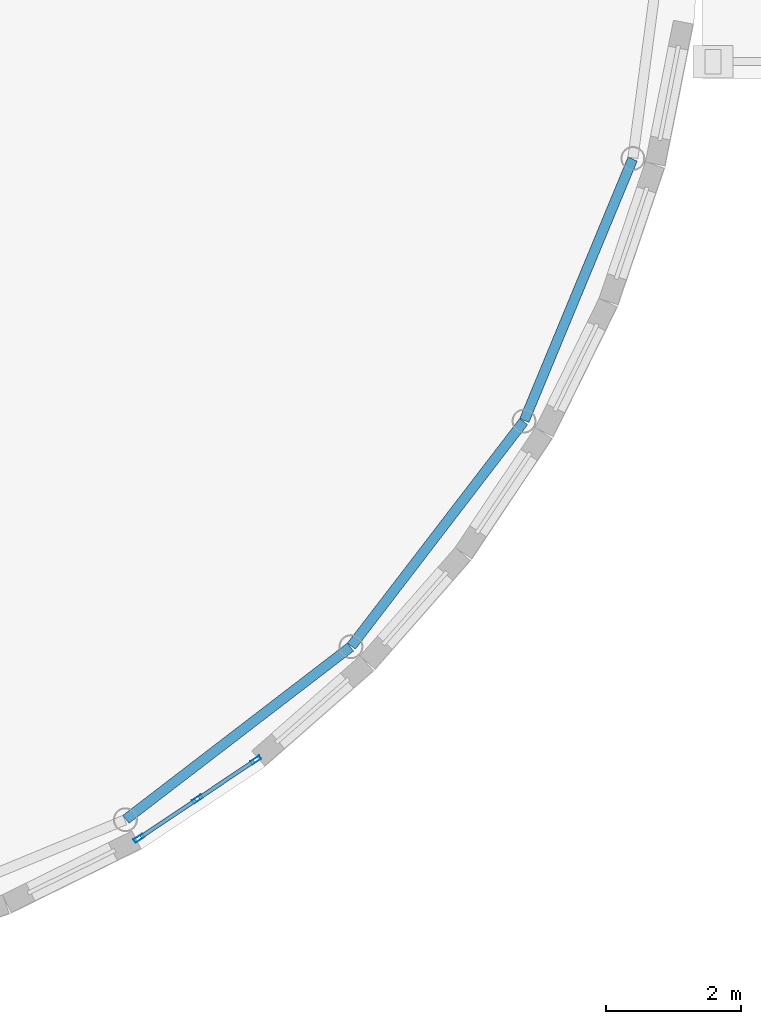
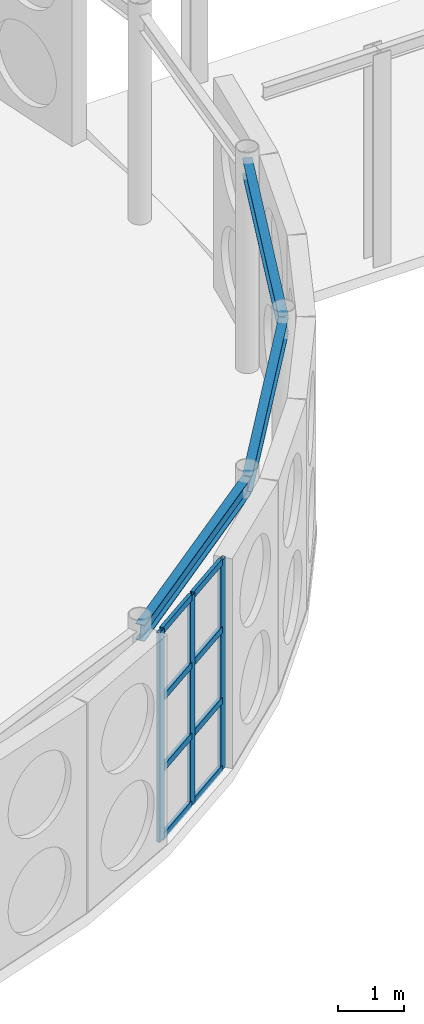
# One storey, part 51 of 165: 11 members, 3 beams, 1 element without a shape of its own.
"""IFC4 building model written with IfcOpenShell, lengths in metres."""

from ifc_helpers import new_model, si_unit, direction, frame, origin, origin_2d, place, context, subcontext, project, spatial, hollow_rectangle, i_section, extrude, material, layer, layer_set, material_profile, profile_set, type_object, element, aggregate, save


model = new_model("IFC4")

# Units and contexts
model_context = context("Model", 3, precision=1e-05, world=origin(), true_north=direction((0.0, 1.0)))
body_context = subcontext(model_context, "Body", "Model", "MODEL_VIEW")
ifc_project = project(units=[si_unit("LENGTHUNIT", "METRE"), si_unit("AREAUNIT", "SQUARE_METRE"), si_unit("VOLUMEUNIT", "CUBIC_METRE"), si_unit("PLANEANGLEUNIT", "RADIAN"), si_unit("MASSUNIT", "GRAM", prefix="KILO")], contexts=[model_context])

# Site, building, storey
site_placement = place(None, origin())
site = spatial("IfcSite", under=ifc_project, at=site_placement, CompositionType="ELEMENT")
building_placement = place(site_placement, origin())
building = spatial("IfcBuilding", under=site, at=building_placement, Name="Montecoro Central Library", CompositionType="ELEMENT")
storey_placement = place(building_placement, frame((0.0, 0.0, 5.10009765625)))
storey = spatial("IfcBuildingStorey", under=building, at=storey_placement, Name="L01", CompositionType="ELEMENT", Elevation=5.10009765625)

# Beams
ifc_material_1 = material(Name="Steel S355", Category="steel")
ifc_material_profile_1 = material_profile(ifc_material_1, i_section(OverallWidth=0.14990234375, OverallDepth=0.300048828125, WebThickness=0.007080078125, FlangeThickness=0.0107421875, at=origin_2d()), Name="IPE 300")
ifc_profile_set_1 = profile_set([ifc_material_profile_1], Name="Steel S355")
beam_type = type_object("IfcBeamType", Name="BM-SP-IPE300", PredefinedType="SPANDREL", material=ifc_profile_set_1)
for number, where, z_axis, x_axis, name in (
    (1, (99.697998046875, 21.39404296875, 3.704833984375), (0.793372600918, 0.608736327249, 0.0), (-0.608736327249, 0.793372600918, 0.0), "V1-L01-RING-21"),
    (2, (103.047119140625, 23.967041015625, 3.704833984375), (0.608736327249, 0.793372600918, 0.0), (-0.793372600918, 0.608736327249, 0.0), "V1-L01-RING-22"),
):
    element("IfcBeam", number, at=place(storey_placement, frame(where, z_axis=z_axis, x_axis=x_axis)), inside=storey, type_object=beam_type, Name=name, PredefinedType="SPANDREL", context=body_context, shape_type="SweptSolid", body=[
        extrude(i_section(OverallWidth=0.14990234375, OverallDepth=0.300048828125, WebThickness=0.007080078125, FlangeThickness=0.0107421875, at=origin_2d()), origin(), (0.0, 0.0, 1.0), 4.20361328125),
    ])
beam_placement = place(storey_placement, frame((105.615966796875, 27.319091796875, 3.704833984375), z_axis=(0.382767235377, 0.923844815714, 0.0), x_axis=(-0.923844815714, 0.382767235377, 0.0)))
element("IfcBeam", 3, at=beam_placement, inside=storey, type_object=beam_type, Name="V1-L01-RING-23", PredefinedType="SPANDREL", context=body_context, shape_type="SweptSolid", body=[
    extrude(i_section(OverallWidth=0.14990234375, OverallDepth=0.300048828125, WebThickness=0.007080078125, FlangeThickness=0.0107421875, at=origin_2d()), origin(), (0.0, 0.0, 1.0), 4.203857421875),
])

# Curtain wall, members
ifc_material_2 = material(Name="Bronze-anodised aluminium and low-E glazing", Category="aluminium")
ifc_layer = layer(ifc_material_2, 0.159912109375)
ifc_layer_set = layer_set([ifc_layer], Name="Bronze-anodised aluminium and low-E glazing")
curtain_wall_type = type_object("IfcCurtainWallType", Name="CWT-003", PredefinedType="NOTDEFINED", material=ifc_layer_set)
curtain_wall_placement = place(storey_placement, origin())
curtain_wall = element("IfcCurtainWall", 4, at=curtain_wall_placement, inside=storey, type_object=curtain_wall_type, Name="V1-L01-CW-41", PredefinedType="NOTDEFINED")
ifc_material_3 = material(Name="Bronze-anodised aluminium", Category="aluminium")
ifc_material_profile_2 = material_profile(ifc_material_3, hollow_rectangle(XDim=0.06005859375, YDim=0.159912109375, WallThickness=0.00390625, at=origin_2d()), Name="CWM 160x60x4.0")
ifc_profile_set_2 = profile_set([ifc_material_profile_2], Name="Bronze-anodised aluminium")
member_type_1 = type_object("IfcMemberType", Name="CWM-BRZ-60", PredefinedType="MULLION", material=ifc_profile_set_2)
member_1_placement = place(storey_placement, frame((99.891845703125, 21.11376953125, 0.0), z_axis=(0.0, 0.0, 1.0), x_axis=(-0.556097814687, 0.831116851291, 0.0)))
member_1 = element("IfcMember", 5, at=member_1_placement, type_object=member_type_1, Name="CW-003 mullion 1", PredefinedType="MULLION", context=body_context, shape_type="SweptSolid", body=[
    extrude(hollow_rectangle(XDim=0.06005859375, YDim=0.159912109375, WallThickness=0.00390625, at=origin_2d()), origin(), (0.0, 0.0, 1.0), 3.85498046875),
])
member_2_placement = place(storey_placement, frame((100.758544921875, 21.693603515625, 0.0), z_axis=(0.0, 0.0, 1.0), x_axis=(-0.556097814687, 0.831116851291, 0.0)))
member_2 = element("IfcMember", 6, at=member_2_placement, type_object=member_type_1, Name="CW-003 mullion 2", PredefinedType="MULLION", context=body_context, shape_type="SweptSolid", body=[
    extrude(hollow_rectangle(XDim=0.06005859375, YDim=0.159912109375, WallThickness=0.00390625, at=origin_2d()), origin(), (0.0, 0.0, 1.0), 3.85498046875),
])
member_3_placement = place(storey_placement, frame((101.625, 22.2734375, 0.0), z_axis=(0.0, 0.0, 1.0), x_axis=(-0.556097814687, 0.831116851291, 0.0)))
member_3 = element("IfcMember", 7, at=member_3_placement, type_object=member_type_1, Name="CW-003 mullion 3", PredefinedType="MULLION", context=body_context, shape_type="SweptSolid", body=[
    extrude(hollow_rectangle(XDim=0.06005859375, YDim=0.159912109375, WallThickness=0.00390625, at=origin_2d()), origin(), (0.0, 0.0, 1.0), 3.85498046875),
])
ifc_material_profile_3 = material_profile(ifc_material_3, hollow_rectangle(XDim=0.06005859375, YDim=0.1201171875, WallThickness=0.00390625, at=origin_2d()), Name="CWT 120x60x4.0")
ifc_profile_set_3 = profile_set([ifc_material_profile_3], Name="Bronze-anodised aluminium")
member_type_2 = type_object("IfcMemberType", Name="CWT-BRZ-60", PredefinedType="USERDEFINED", material=ifc_profile_set_3)
member_4_placement = place(storey_placement, frame((99.916748046875, 21.13037109375, 0.02978515625), z_axis=(0.831208537172, 0.555960760965, 0.0), x_axis=(-0.555960760965, 0.831208537172, 0.0)))
member_4 = element("IfcMember", 8, at=member_4_placement, type_object=member_type_2, Name="CW-003 transom 1.1", ObjectType="TRANSOM", PredefinedType="USERDEFINED", context=body_context, shape_type="SweptSolid", body=[
    extrude(hollow_rectangle(XDim=0.06005859375, YDim=0.1201171875, WallThickness=0.00390625, at=origin_2d()), origin(), (0.0, 0.0, 1.0), 0.982666015625),
])
member_5_placement = place(storey_placement, frame((99.916748046875, 21.13037109375, 1.27978515625), z_axis=(0.831208537172, 0.555960760965, 0.0), x_axis=(-0.555960760965, 0.831208537172, 0.0)))
member_5 = element("IfcMember", 9, at=member_5_placement, type_object=member_type_2, Name="CW-003 transom 1.2", ObjectType="TRANSOM", PredefinedType="USERDEFINED", context=body_context, shape_type="SweptSolid", body=[
    extrude(hollow_rectangle(XDim=0.06005859375, YDim=0.1201171875, WallThickness=0.00390625, at=origin_2d()), origin(), (0.0, 0.0, 1.0), 0.982666015625),
])
member_6_placement = place(storey_placement, frame((99.916748046875, 21.13037109375, 2.579833984375), z_axis=(0.831208537172, 0.555960760965, 0.0), x_axis=(-0.555960760965, 0.831208537172, 0.0)))
member_6 = element("IfcMember", 10, at=member_6_placement, type_object=member_type_2, Name="CW-003 transom 1.3", ObjectType="TRANSOM", PredefinedType="USERDEFINED", context=body_context, shape_type="SweptSolid", body=[
    extrude(hollow_rectangle(XDim=0.06005859375, YDim=0.1201171875, WallThickness=0.00390625, at=origin_2d()), origin(), (0.0, 0.0, 1.0), 0.982666015625),
])
member_7_placement = place(storey_placement, frame((99.916748046875, 21.13037109375, 3.824951171875), z_axis=(0.831208537172, 0.555960760965, 0.0), x_axis=(-0.555960760965, 0.831208537172, 0.0)))
member_7 = element("IfcMember", 11, at=member_7_placement, type_object=member_type_2, Name="CW-003 transom 1.4", ObjectType="TRANSOM", PredefinedType="USERDEFINED", context=body_context, shape_type="SweptSolid", body=[
    extrude(hollow_rectangle(XDim=0.06005859375, YDim=0.1201171875, WallThickness=0.00390625, at=origin_2d()), origin(), (0.0, 0.0, 1.0), 0.982666015625),
])
member_8_placement = place(storey_placement, frame((100.783447265625, 21.710205078125, 0.02978515625), z_axis=(0.831131729099, 0.556075578393, 0.0), x_axis=(-0.556075578393, 0.831131729099, 0.0)))
member_8 = element("IfcMember", 12, at=member_8_placement, type_object=member_type_2, Name="CW-003 transom 2.1", ObjectType="TRANSOM", PredefinedType="USERDEFINED", context=body_context, shape_type="SweptSolid", body=[
    extrude(hollow_rectangle(XDim=0.06005859375, YDim=0.1201171875, WallThickness=0.00390625, at=origin_2d()), origin(), (0.0, 0.0, 1.0), 0.982666015625),
])
member_9_placement = place(storey_placement, frame((100.783447265625, 21.710205078125, 1.27978515625), z_axis=(0.831131729099, 0.556075578393, 0.0), x_axis=(-0.556075578393, 0.831131729099, 0.0)))
member_9 = element("IfcMember", 13, at=member_9_placement, type_object=member_type_2, Name="CW-003 transom 2.2", ObjectType="TRANSOM", PredefinedType="USERDEFINED", context=body_context, shape_type="SweptSolid", body=[
    extrude(hollow_rectangle(XDim=0.06005859375, YDim=0.1201171875, WallThickness=0.00390625, at=origin_2d()), origin(), (0.0, 0.0, 1.0), 0.982666015625),
])
member_10_placement = place(storey_placement, frame((100.783447265625, 21.710205078125, 2.579833984375), z_axis=(0.831131729099, 0.556075578393, 0.0), x_axis=(-0.556075578393, 0.831131729099, 0.0)))
member_10 = element("IfcMember", 14, at=member_10_placement, type_object=member_type_2, Name="CW-003 transom 2.3", ObjectType="TRANSOM", PredefinedType="USERDEFINED", context=body_context, shape_type="SweptSolid", body=[
    extrude(hollow_rectangle(XDim=0.06005859375, YDim=0.1201171875, WallThickness=0.00390625, at=origin_2d()), origin(), (0.0, 0.0, 1.0), 0.982666015625),
])
member_11_placement = place(storey_placement, frame((100.783447265625, 21.710205078125, 3.824951171875), z_axis=(0.831131729099, 0.556075578393, 0.0), x_axis=(-0.556075578393, 0.831131729099, 0.0)))
member_11 = element("IfcMember", 15, at=member_11_placement, type_object=member_type_2, Name="CW-003 transom 2.4", ObjectType="TRANSOM", PredefinedType="USERDEFINED", context=body_context, shape_type="SweptSolid", body=[
    extrude(hollow_rectangle(XDim=0.06005859375, YDim=0.1201171875, WallThickness=0.00390625, at=origin_2d()), origin(), (0.0, 0.0, 1.0), 0.982666015625),
])
aggregate(curtain_wall, [member_1, member_2, member_3, member_4, member_5, member_6, member_7, member_8, member_9, member_10, member_11])

save(model, "model.ifc")
